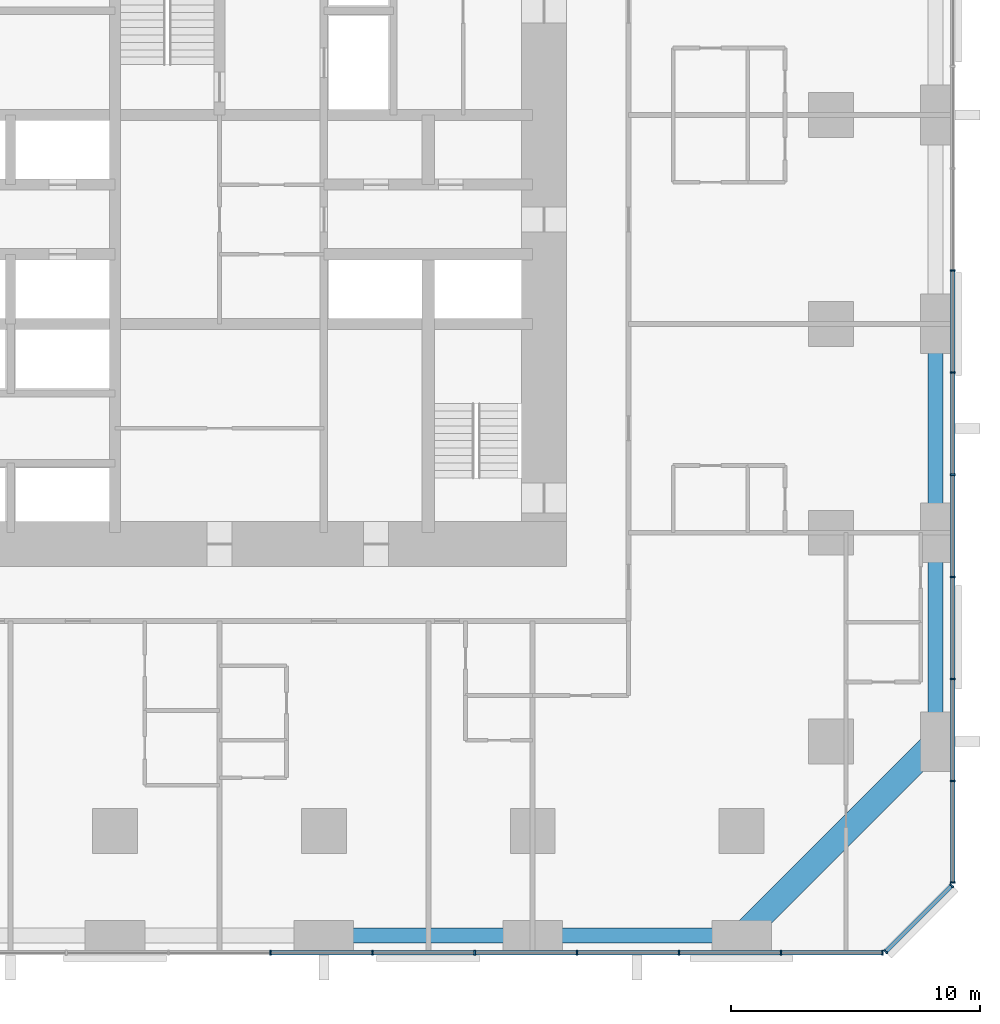
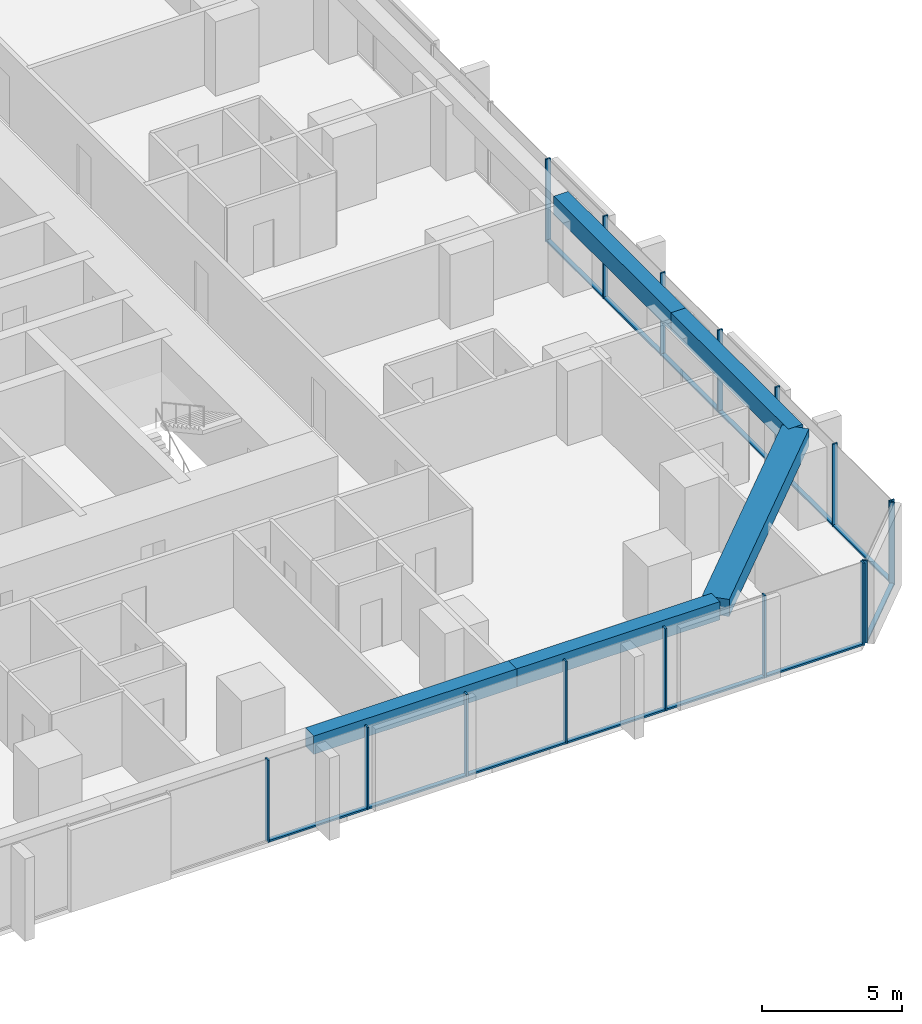
# One storey, part 4 of 17: 29 members, 5 beams, 3 elements without a shape of their own.
"""IFC4 building model written with IfcOpenShell, lengths in metres."""

from ifc_helpers import new_model, si_unit, direction, frame, origin, origin_2d, place, context, subcontext, project, spatial, rectangle, extrude, material, material_profile, profile_set, type_object, element, aggregate, save


model = new_model("IFC4")

# Units and contexts
model_context = context("Model", 3, precision=1e-05, world=origin(), true_north=direction((0.0, 1.0)))
body_context = subcontext(model_context, "Body", "Model", "MODEL_VIEW")
ifc_project = project(units=[si_unit("LENGTHUNIT", "METRE"), si_unit("AREAUNIT", "SQUARE_METRE"), si_unit("VOLUMEUNIT", "CUBIC_METRE"), si_unit("PLANEANGLEUNIT", "RADIAN"), si_unit("MASSUNIT", "GRAM", prefix="KILO")], contexts=[model_context])

# Site, building, storey
site_placement = place(None, origin())
site = spatial("IfcSite", under=ifc_project, at=site_placement, CompositionType="ELEMENT")
building_placement = place(site_placement, origin())
building = spatial("IfcBuilding", under=site, at=building_placement, Name="Dunama Terrace Hotel", CompositionType="ELEMENT")
storey_placement = place(building_placement, frame((0.0, 0.0, 37.800048828125)))
storey = spatial("IfcBuildingStorey", under=building, at=storey_placement, Name="L08", CompositionType="ELEMENT", Elevation=37.800048828125)

# Curtain wall, members
ifc_material_1 = material(Name="Aluminium curtain wall system", Category="aluminium")
curtain_wall_type = type_object("IfcCurtainWallType", Name="Unitised fritted glass wall CW-A", PredefinedType="NOTDEFINED", material=ifc_material_1)
curtain_wall_1_placement = place(storey_placement, origin())
curtain_wall_1 = element("IfcCurtainWall", 1, at=curtain_wall_1_placement, inside=storey, type_object=curtain_wall_type, Name="Unitised fritted glass wall CW-A L08", PredefinedType="NOTDEFINED")
ifc_material_2 = material(Name="Aluminium mullion", Category="aluminium")
ifc_material_profile_1 = material_profile(ifc_material_2, rectangle(XDim=0.06494140625, YDim=0.199951171875, at=origin_2d()), Name="CWA MULLION 65X200")
ifc_profile_set_1 = profile_set([ifc_material_profile_1], Name="Aluminium mullion")
member_type_1 = type_object("IfcMemberType", Name="CWA mullion 65x200", PredefinedType="MULLION", material=ifc_profile_set_1)
member_1_placement = place(storey_placement, frame((31.4541015625, -0.10009765625, 0.0), z_axis=(0.0, 0.0, 1.0), x_axis=(1.0, 0.0, 0.0)))
member_1 = element("IfcMember", 2, at=member_1_placement, type_object=member_type_1, Name="CWA mullion", PredefinedType="MULLION", context=body_context, shape_type="SweptSolid", body=[
    extrude(rectangle(XDim=0.06494140625, YDim=0.199951171875, at=origin_2d()), origin(), (0.0, 0.0, 1.0), 3.599853515625),
])
member_2_placement = place(storey_placement, frame((35.56201171875, -0.10009765625, 0.0), z_axis=(0.0, 0.0, 1.0), x_axis=(1.0, 0.0, 0.0)))
member_2 = element("IfcMember", 3, at=member_2_placement, type_object=member_type_1, Name="CWA mullion", PredefinedType="MULLION", context=body_context, shape_type="SweptSolid", body=[
    extrude(rectangle(XDim=0.06494140625, YDim=0.199951171875, at=origin_2d()), origin(), (0.0, 0.0, 1.0), 3.599853515625),
])
member_3_placement = place(storey_placement, frame((39.6689453125, -0.10009765625, 0.0), z_axis=(0.0, 0.0, 1.0), x_axis=(1.0, 0.0, 0.0)))
member_3 = element("IfcMember", 4, at=member_3_placement, type_object=member_type_1, Name="CWA mullion", PredefinedType="MULLION", context=body_context, shape_type="SweptSolid", body=[
    extrude(rectangle(XDim=0.06494140625, YDim=0.199951171875, at=origin_2d()), origin(), (0.0, 0.0, 1.0), 3.599853515625),
])
member_4_placement = place(storey_placement, frame((43.777099609375, -0.10009765625, 0.0), z_axis=(0.0, 0.0, 1.0), x_axis=(1.0, 0.0, 0.0)))
member_4 = element("IfcMember", 5, at=member_4_placement, type_object=member_type_1, Name="CWA mullion", PredefinedType="MULLION", context=body_context, shape_type="SweptSolid", body=[
    extrude(rectangle(XDim=0.06494140625, YDim=0.199951171875, at=origin_2d()), origin(), (0.0, 0.0, 1.0), 3.599853515625),
])
member_5_placement = place(storey_placement, frame((47.885009765625, -0.10009765625, 0.0), z_axis=(0.0, 0.0, 1.0), x_axis=(1.0, 0.0, 0.0)))
member_5 = element("IfcMember", 6, at=member_5_placement, type_object=member_type_1, Name="CWA mullion", PredefinedType="MULLION", context=body_context, shape_type="SweptSolid", body=[
    extrude(rectangle(XDim=0.06494140625, YDim=0.199951171875, at=origin_2d()), origin(), (0.0, 0.0, 1.0), 3.599853515625),
])
member_6_placement = place(storey_placement, frame((51.991943359375, -0.10009765625, 0.0), z_axis=(0.0, 0.0, 1.0), x_axis=(1.0, 0.0, 0.0)))
member_6 = element("IfcMember", 7, at=member_6_placement, type_object=member_type_1, Name="CWA mullion", PredefinedType="MULLION", context=body_context, shape_type="SweptSolid", body=[
    extrude(rectangle(XDim=0.06494140625, YDim=0.199951171875, at=origin_2d()), origin(), (0.0, 0.0, 1.0), 3.599853515625),
])
member_7_placement = place(storey_placement, frame((56.06689453125, -0.10009765625, 0.0), z_axis=(0.0, 0.0, 1.0), x_axis=(1.0, 0.0, 0.0)))
member_7 = element("IfcMember", 8, at=member_7_placement, type_object=member_type_1, Name="CWA mullion", PredefinedType="MULLION", context=body_context, shape_type="SweptSolid", body=[
    extrude(rectangle(XDim=0.06494140625, YDim=0.199951171875, at=origin_2d()), origin(), (0.0, 0.0, 1.0), 3.599853515625),
])

curtain_wall_2_placement = place(storey_placement, origin())
curtain_wall_2 = element("IfcCurtainWall", 9, at=curtain_wall_2_placement, inside=storey, type_object=curtain_wall_type, Name="Unitised fritted glass wall CW-A L08", PredefinedType="NOTDEFINED")
member_8_placement = place(storey_placement, frame((56.194091796875, -0.048095703125, 0.0), z_axis=(0.0, 0.0, 1.0), x_axis=(0.707106781187, 0.707106781187, 0.0)))
member_8 = element("IfcMember", 10, at=member_8_placement, type_object=member_type_1, Name="CWA mullion", PredefinedType="MULLION", context=body_context, shape_type="SweptSolid", body=[
    extrude(rectangle(XDim=0.06494140625, YDim=0.199951171875, at=origin_2d()), origin(), (0.0, 0.0, 1.0), 3.599853515625),
])
member_9_placement = place(storey_placement, frame((58.847900390625, 2.60595703125, 0.0), z_axis=(0.0, 0.0, 1.0), x_axis=(0.707106781187, 0.707106781187, 0.0)))
member_9 = element("IfcMember", 11, at=member_9_placement, type_object=member_type_1, Name="CWA mullion", PredefinedType="MULLION", context=body_context, shape_type="SweptSolid", body=[
    extrude(rectangle(XDim=0.06494140625, YDim=0.199951171875, at=origin_2d()), origin(), (0.0, 0.0, 1.0), 3.599853515625),
])

curtain_wall_3_placement = place(storey_placement, origin())
curtain_wall_3 = element("IfcCurtainWall", 12, at=curtain_wall_3_placement, inside=storey, type_object=curtain_wall_type, Name="Unitised fritted glass wall CW-A L08", PredefinedType="NOTDEFINED")
member_10_placement = place(storey_placement, frame((58.89990234375, 2.73291015625, 0.0), z_axis=(0.0, 0.0, 1.0), x_axis=(0.0, 1.0, 0.0)))
member_10 = element("IfcMember", 13, at=member_10_placement, type_object=member_type_1, Name="CWA mullion", PredefinedType="MULLION", context=body_context, shape_type="SweptSolid", body=[
    extrude(rectangle(XDim=0.06494140625, YDim=0.199951171875, at=origin_2d()), origin(), (0.0, 0.0, 1.0), 3.599853515625),
])
member_11_placement = place(storey_placement, frame((58.89990234375, 6.80810546875, 0.0), z_axis=(0.0, 0.0, 1.0), x_axis=(0.0, 1.0, 0.0)))
member_11 = element("IfcMember", 14, at=member_11_placement, type_object=member_type_1, Name="CWA mullion", PredefinedType="MULLION", context=body_context, shape_type="SweptSolid", body=[
    extrude(rectangle(XDim=0.06494140625, YDim=0.199951171875, at=origin_2d()), origin(), (0.0, 0.0, 1.0), 3.599853515625),
])
member_12_placement = place(storey_placement, frame((58.89990234375, 10.9150390625, 0.0), z_axis=(0.0, 0.0, 1.0), x_axis=(0.0, 1.0, 0.0)))
member_12 = element("IfcMember", 15, at=member_12_placement, type_object=member_type_1, Name="CWA mullion", PredefinedType="MULLION", context=body_context, shape_type="SweptSolid", body=[
    extrude(rectangle(XDim=0.06494140625, YDim=0.199951171875, at=origin_2d()), origin(), (0.0, 0.0, 1.0), 3.599853515625),
])
member_13_placement = place(storey_placement, frame((58.89990234375, 15.02294921875, 0.0), z_axis=(0.0, 0.0, 1.0), x_axis=(0.0, 1.0, 0.0)))
member_13 = element("IfcMember", 16, at=member_13_placement, type_object=member_type_1, Name="CWA mullion", PredefinedType="MULLION", context=body_context, shape_type="SweptSolid", body=[
    extrude(rectangle(XDim=0.06494140625, YDim=0.199951171875, at=origin_2d()), origin(), (0.0, 0.0, 1.0), 3.599853515625),
])
member_14_placement = place(storey_placement, frame((58.89990234375, 19.131103515625, 0.0), z_axis=(0.0, 0.0, 1.0), x_axis=(0.0, 1.0, 0.0)))
member_14 = element("IfcMember", 17, at=member_14_placement, type_object=member_type_1, Name="CWA mullion", PredefinedType="MULLION", context=body_context, shape_type="SweptSolid", body=[
    extrude(rectangle(XDim=0.06494140625, YDim=0.199951171875, at=origin_2d()), origin(), (0.0, 0.0, 1.0), 3.599853515625),
])
member_15_placement = place(storey_placement, frame((58.89990234375, 23.238037109375, 0.0), z_axis=(0.0, 0.0, 1.0), x_axis=(0.0, 1.0, 0.0)))
member_15 = element("IfcMember", 18, at=member_15_placement, type_object=member_type_1, Name="CWA mullion", PredefinedType="MULLION", context=body_context, shape_type="SweptSolid", body=[
    extrude(rectangle(XDim=0.06494140625, YDim=0.199951171875, at=origin_2d()), origin(), (0.0, 0.0, 1.0), 3.599853515625),
])
member_16_placement = place(storey_placement, frame((58.89990234375, 27.345947265625, 0.0), z_axis=(0.0, 0.0, 1.0), x_axis=(0.0, 1.0, 0.0)))
member_16 = element("IfcMember", 19, at=member_16_placement, type_object=member_type_1, Name="CWA mullion", PredefinedType="MULLION", context=body_context, shape_type="SweptSolid", body=[
    extrude(rectangle(XDim=0.06494140625, YDim=0.199951171875, at=origin_2d()), origin(), (0.0, 0.0, 1.0), 3.599853515625),
])

# Member
ifc_material_3 = material(Name="Aluminium transom", Category="aluminium")
ifc_material_profile_2 = material_profile(ifc_material_3, rectangle(XDim=0.179931640625, YDim=0.074951171875, at=origin_2d()), Name="CWA TRANSOM 180X75")
ifc_profile_set_2 = profile_set([ifc_material_profile_2], Name="Aluminium transom")
member_type_2 = type_object("IfcMemberType", Name="CWA transom 180x75", PredefinedType="USERDEFINED", material=ifc_profile_set_2)
member_17_placement = place(storey_placement, frame((31.486083984375, -0.10009765625, 0.037353515625), z_axis=(1.0, 0.0, 0.0), x_axis=(0.0, 1.0, 0.0)))
member_17 = element("IfcMember", 20, at=member_17_placement, type_object=member_type_2, Name="CWA transom", ObjectType="TRANSOM", PredefinedType="USERDEFINED", context=body_context, shape_type="SweptSolid", body=[
    extrude(rectangle(XDim=0.179931640625, YDim=0.074951171875, at=origin_2d()), origin(), (0.0, 0.0, 1.0), 4.04296875),
])

member_18_placement = place(storey_placement, frame((35.593994140625, -0.10009765625, 0.037353515625), z_axis=(1.0, 0.0, 0.0), x_axis=(0.0, 1.0, 0.0)))
member_18 = element("IfcMember", 21, at=member_18_placement, type_object=member_type_2, Name="CWA transom", ObjectType="TRANSOM", PredefinedType="USERDEFINED", context=body_context, shape_type="SweptSolid", body=[
    extrude(rectangle(XDim=0.179931640625, YDim=0.074951171875, at=origin_2d()), origin(), (0.0, 0.0, 1.0), 4.04296875),
])

member_19_placement = place(storey_placement, frame((39.701904296875, -0.10009765625, 0.037353515625), z_axis=(1.0, 0.0, 0.0), x_axis=(0.0, 1.0, 0.0)))
member_19 = element("IfcMember", 22, at=member_19_placement, type_object=member_type_2, Name="CWA transom", ObjectType="TRANSOM", PredefinedType="USERDEFINED", context=body_context, shape_type="SweptSolid", body=[
    extrude(rectangle(XDim=0.179931640625, YDim=0.074951171875, at=origin_2d()), origin(), (0.0, 0.0, 1.0), 4.0419921875),
])

member_20_placement = place(storey_placement, frame((43.80908203125, -0.10009765625, 0.037353515625), z_axis=(1.0, 0.0, 0.0), x_axis=(0.0, 1.0, 0.0)))
member_20 = element("IfcMember", 23, at=member_20_placement, type_object=member_type_2, Name="CWA transom", ObjectType="TRANSOM", PredefinedType="USERDEFINED", context=body_context, shape_type="SweptSolid", body=[
    extrude(rectangle(XDim=0.179931640625, YDim=0.074951171875, at=origin_2d()), origin(), (0.0, 0.0, 1.0), 4.04296875),
])

member_21_placement = place(storey_placement, frame((47.9169921875, -0.10009765625, 0.037353515625), z_axis=(1.0, 0.0, 0.0), x_axis=(0.0, 1.0, 0.0)))
member_21 = element("IfcMember", 24, at=member_21_placement, type_object=member_type_2, Name="CWA transom", ObjectType="TRANSOM", PredefinedType="USERDEFINED", context=body_context, shape_type="SweptSolid", body=[
    extrude(rectangle(XDim=0.179931640625, YDim=0.074951171875, at=origin_2d()), origin(), (0.0, 0.0, 1.0), 4.04296875),
])

member_22_placement = place(storey_placement, frame((52.02490234375, -0.10009765625, 0.037353515625), z_axis=(1.0, 0.0, 0.0), x_axis=(0.0, 1.0, 0.0)))
member_22 = element("IfcMember", 25, at=member_22_placement, type_object=member_type_2, Name="CWA transom", ObjectType="TRANSOM", PredefinedType="USERDEFINED", context=body_context, shape_type="SweptSolid", body=[
    extrude(rectangle(XDim=0.179931640625, YDim=0.074951171875, at=origin_2d()), origin(), (0.0, 0.0, 1.0), 4.010009765625),
])

aggregate(curtain_wall_1, [member_1, member_2, member_3, member_4, member_5, member_6, member_7, member_17, member_18, member_19, member_20, member_21, member_22])

member_23_placement = place(storey_placement, frame((56.217041015625, -0.02490234375, 0.037353515625), z_axis=(0.707106781187, 0.707106781187, 0.0), x_axis=(-0.707106781187, 0.707106781187, 0.0)))
member_23 = element("IfcMember", 26, at=member_23_placement, type_object=member_type_2, Name="CWA transom", ObjectType="TRANSOM", PredefinedType="USERDEFINED", context=body_context, shape_type="SweptSolid", body=[
    extrude(rectangle(XDim=0.179931640625, YDim=0.074951171875, at=origin_2d()), origin(), (0.0, 0.0, 1.0), 3.688232421875),
])

aggregate(curtain_wall_2, [member_8, member_9, member_23])

member_24_placement = place(storey_placement, frame((58.89990234375, 2.764892578125, 0.037353515625), z_axis=(0.0, 1.0, 0.0), x_axis=(-1.0, 0.0, 0.0)))
member_24 = element("IfcMember", 27, at=member_24_placement, type_object=member_type_2, Name="CWA transom", ObjectType="TRANSOM", PredefinedType="USERDEFINED", context=body_context, shape_type="SweptSolid", body=[
    extrude(rectangle(XDim=0.179931640625, YDim=0.074951171875, at=origin_2d()), origin(), (0.0, 0.0, 1.0), 4.010009765625),
])

member_25_placement = place(storey_placement, frame((58.89990234375, 6.840087890625, 0.037353515625), z_axis=(0.0, 1.0, 0.0), x_axis=(-1.0, 0.0, 0.0)))
member_25 = element("IfcMember", 28, at=member_25_placement, type_object=member_type_2, Name="CWA transom", ObjectType="TRANSOM", PredefinedType="USERDEFINED", context=body_context, shape_type="SweptSolid", body=[
    extrude(rectangle(XDim=0.179931640625, YDim=0.074951171875, at=origin_2d()), origin(), (0.0, 0.0, 1.0), 4.04296875),
])

member_26_placement = place(storey_placement, frame((58.89990234375, 10.947998046875, 0.037353515625), z_axis=(0.0, 1.0, 0.0), x_axis=(-1.0, 0.0, 0.0)))
member_26 = element("IfcMember", 29, at=member_26_placement, type_object=member_type_2, Name="CWA transom", ObjectType="TRANSOM", PredefinedType="USERDEFINED", context=body_context, shape_type="SweptSolid", body=[
    extrude(rectangle(XDim=0.179931640625, YDim=0.074951171875, at=origin_2d()), origin(), (0.0, 0.0, 1.0), 4.04296875),
])

member_27_placement = place(storey_placement, frame((58.89990234375, 15.055908203125, 0.037353515625), z_axis=(0.0, 1.0, 0.0), x_axis=(-1.0, 0.0, 0.0)))
member_27 = element("IfcMember", 30, at=member_27_placement, type_object=member_type_2, Name="CWA transom", ObjectType="TRANSOM", PredefinedType="USERDEFINED", context=body_context, shape_type="SweptSolid", body=[
    extrude(rectangle(XDim=0.179931640625, YDim=0.074951171875, at=origin_2d()), origin(), (0.0, 0.0, 1.0), 4.0419921875),
])

member_28_placement = place(storey_placement, frame((58.89990234375, 19.1630859375, 0.037353515625), z_axis=(0.0, 1.0, 0.0), x_axis=(-1.0, 0.0, 0.0)))
member_28 = element("IfcMember", 31, at=member_28_placement, type_object=member_type_2, Name="CWA transom", ObjectType="TRANSOM", PredefinedType="USERDEFINED", context=body_context, shape_type="SweptSolid", body=[
    extrude(rectangle(XDim=0.179931640625, YDim=0.074951171875, at=origin_2d()), origin(), (0.0, 0.0, 1.0), 4.04296875),
])

member_29_placement = place(storey_placement, frame((58.89990234375, 23.27099609375, 0.037353515625), z_axis=(0.0, 1.0, 0.0), x_axis=(-1.0, 0.0, 0.0)))
member_29 = element("IfcMember", 32, at=member_29_placement, type_object=member_type_2, Name="CWA transom", ObjectType="TRANSOM", PredefinedType="USERDEFINED", context=body_context, shape_type="SweptSolid", body=[
    extrude(rectangle(XDim=0.179931640625, YDim=0.074951171875, at=origin_2d()), origin(), (0.0, 0.0, 1.0), 4.04296875),
])

aggregate(curtain_wall_3, [member_10, member_11, member_12, member_13, member_14, member_15, member_16, member_24, member_25, member_26, member_27, member_28, member_29])

# Beams
ifc_material_4 = material(Name="Concrete C50/60", Category="concrete")
ifc_material_profile_3 = material_profile(ifc_material_4, rectangle(XDim=1.0, YDim=0.75, at=origin_2d()), Name="RC 1000x750")
ifc_profile_set_3 = profile_set([ifc_material_profile_3], Name="Concrete C50/60")
beam_type_1 = type_object("IfcBeamType", Name="Edge beam RC 1000x750", PredefinedType="SPANDREL", material=ifc_profile_set_3)
beam_1_placement = place(storey_placement, frame((50.39990234375, 0.60009765625, 3.224853515625), z_axis=(0.707117847453, 0.707095714747, 0.0), x_axis=(-0.707095714747, 0.707117847453, 0.0)))
element("IfcBeam", 33, at=beam_1_placement, inside=storey, type_object=beam_type_1, Name="Corner edge beam under L09", PredefinedType="SPANDREL", context=body_context, shape_type="SweptSolid", body=[
    extrude(rectangle(XDim=1.0, YDim=0.75, at=origin_2d()), origin(), (0.0, 0.0, 1.0), 11.03076171875),
])
ifc_material_5 = material(Name="Concrete C40/50", Category="concrete")
ifc_material_profile_4 = material_profile(ifc_material_5, rectangle(XDim=0.60009765625, YDim=0.800048828125, at=origin_2d()), Name="RC 600x800")
ifc_profile_set_4 = profile_set([ifc_material_profile_4], Name="Concrete C40/50")
beam_type_2 = type_object("IfcBeamType", Name="Edge beam RC 600x800", PredefinedType="SPANDREL", material=ifc_profile_set_4)
beam_2_placement = place(storey_placement, frame((58.199951171875, 8.39990234375, 3.199951171875), z_axis=(0.0, 1.0, 0.0), x_axis=(-1.0, 0.0, 0.0)))
element("IfcBeam", 34, at=beam_2_placement, inside=storey, type_object=beam_type_2, Name="Edge beam under L09", PredefinedType="SPANDREL", context=body_context, shape_type="SweptSolid", body=[
    extrude(rectangle(XDim=0.60009765625, YDim=0.800048828125, at=origin_2d()), origin(), (0.0, 0.0, 1.0), 8.400146484375),
])
for number, where, z_axis, x_axis, name in (
    (35, (58.199951171875, 16.800048828125, 3.199951171875), (0.0, 1.0, 0.0), (-1.0, 0.0, 0.0), "Edge beam under L09"),
    (36, (33.60009765625, 0.60009765625, 3.199951171875), (1.0, 0.0, 0.0), (0.0, 1.0, 0.0), "Edge beam under L09"),
    (37, (42.0, 0.60009765625, 3.199951171875), (1.0, 0.0, 0.0), (0.0, 1.0, 0.0), "Edge beam under L09"),
):
    element("IfcBeam", number, at=place(storey_placement, frame(where, z_axis=z_axis, x_axis=x_axis)), inside=storey, type_object=beam_type_2, Name=name, PredefinedType="SPANDREL", context=body_context, shape_type="SweptSolid", body=[
        extrude(rectangle(XDim=0.60009765625, YDim=0.800048828125, at=origin_2d()), origin(), (0.0, 0.0, 1.0), 8.39990234375),
    ])

save(model, "model.ifc")
